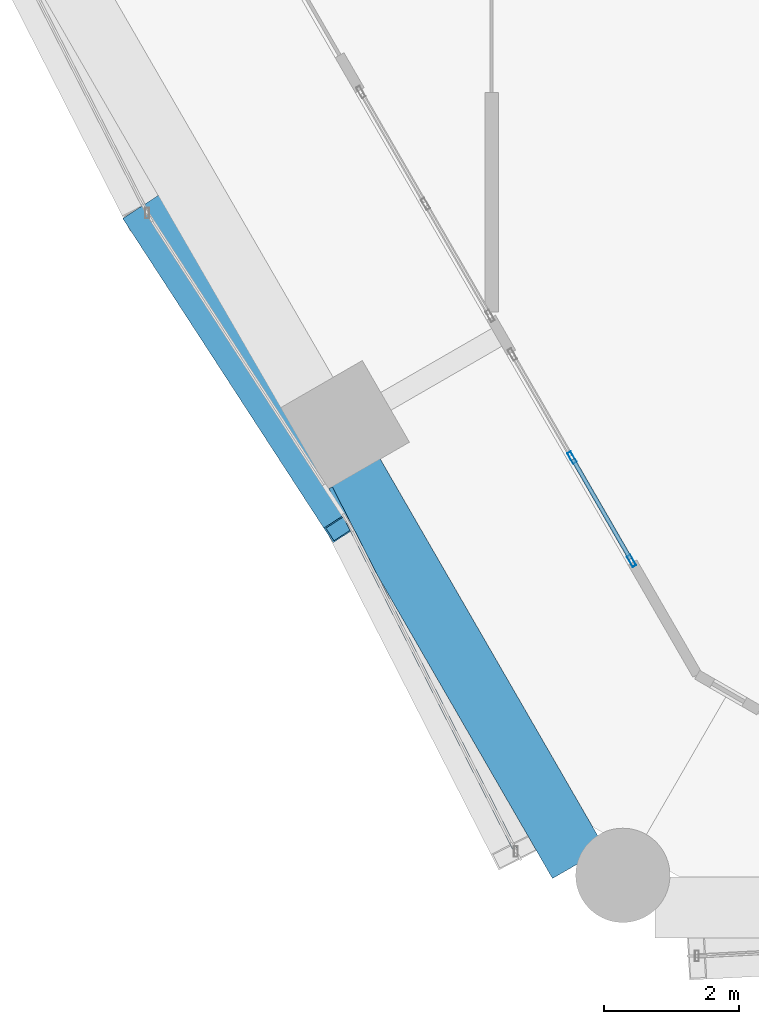
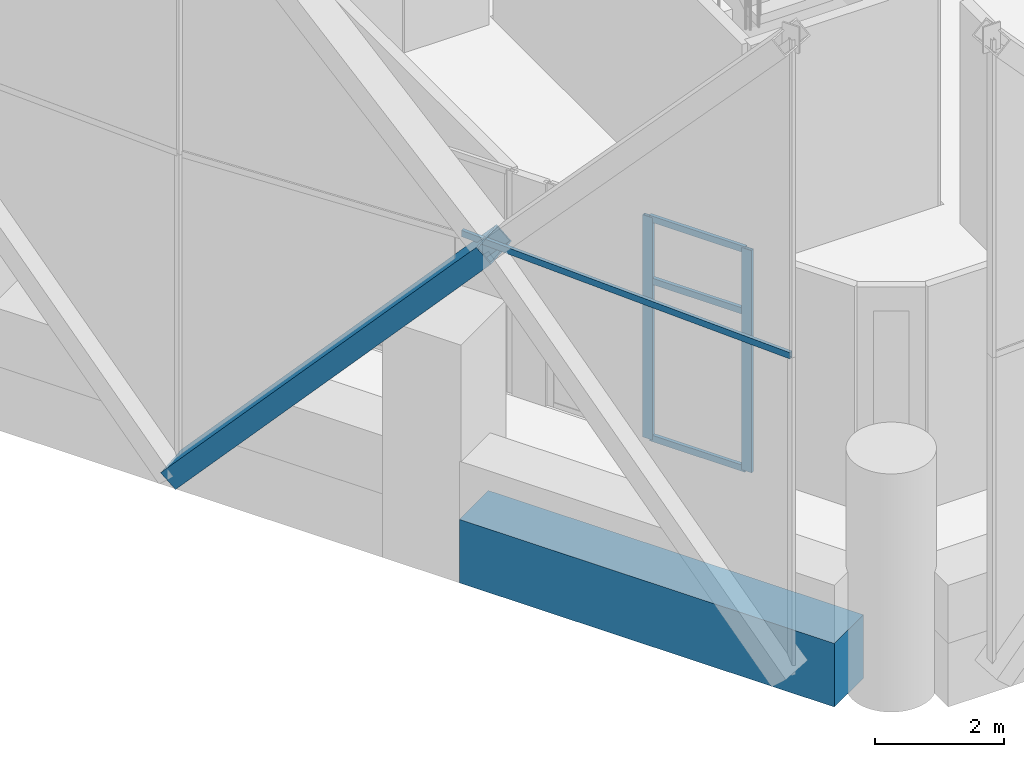
# One storey, part 4 of 46: 7 members, 1 beam, 2 elements without a shape of their own.
"""IFC4 building model written with IfcOpenShell, lengths in metres."""

from ifc_helpers import new_model, si_unit, direction, frame, origin, origin_2d, place, context, subcontext, project, spatial, rectangle, hollow_rectangle, extrude, material, material_profile, profile_set, type_object, element, aggregate, save


model = new_model("IFC4")

# Units and contexts
model_context = context("Model", 3, precision=1e-05, world=origin(), true_north=direction((0.0, 1.0)))
body_context = subcontext(model_context, "Body", "Model", "MODEL_VIEW")
ifc_project = project(units=[si_unit("LENGTHUNIT", "METRE"), si_unit("AREAUNIT", "SQUARE_METRE"), si_unit("VOLUMEUNIT", "CUBIC_METRE"), si_unit("PLANEANGLEUNIT", "RADIAN"), si_unit("MASSUNIT", "GRAM", prefix="KILO")], contexts=[model_context])

# Site, building, storey
site_placement = place(None, origin())
site = spatial("IfcSite", under=ifc_project, at=site_placement, CompositionType="ELEMENT")
building_placement = place(site_placement, origin())
building = spatial("IfcBuilding", under=site, at=building_placement, Name="Ostrander Bayou Hotel Tower", CompositionType="ELEMENT")
storey_placement = place(building_placement, frame((0.0, 0.0, 23.5)))
storey = spatial("IfcBuildingStorey", under=building, at=storey_placement, Name="L05", CompositionType="ELEMENT", Elevation=23.5)

# Curtain wall, member
ifc_material_1 = material(Name="Aluminium and clear glass", Category="aluminium")
curtain_wall_type_1 = type_object("IfcCurtainWallType", Name="CW-LAT lattice glazing", PredefinedType="NOTDEFINED", material=ifc_material_1)
curtain_wall_1_placement = place(storey_placement, origin())
curtain_wall_1 = element("IfcCurtainWall", 1, at=curtain_wall_1_placement, inside=storey, type_object=curtain_wall_type_1, Name="CW-LAT L05 SW 2", PredefinedType="NOTDEFINED")
ifc_material_2 = material(Name="Aluminium", Category="aluminium")
ifc_material_profile_1 = material_profile(ifc_material_2, hollow_rectangle(XDim=0.06005859375, YDim=0.1201171875, WallThickness=0.00390625, at=origin_2d()))
ifc_profile_set_1 = profile_set([ifc_material_profile_1], Name="Aluminium")
member_type_1 = type_object("IfcMemberType", Name="CW-LA transom 60 x 120 mm", PredefinedType="USERDEFINED", material=ifc_profile_set_1)
member_1_placement = place(storey_placement, frame((-13.637939453125, -20.5185546875, 5.39990234375), z_axis=(-0.45398127214, 0.891011225825, 0.0), x_axis=(-0.891011225825, -0.45398127214, 0.0)))
member_1 = element("IfcMember", 2, at=member_1_placement, type_object=member_type_1, Name="CW-LAT transom 10", ObjectType="TRANSOM", PredefinedType="USERDEFINED", context=body_context, shape_type="SweptSolid", body=[
    extrude(hollow_rectangle(XDim=0.06005859375, YDim=0.1201171875, WallThickness=0.00390625, at=origin_2d()), origin(), (0.0, 0.0, 1.0), 6.0634765625),
])
aggregate(curtain_wall_1, [member_1])

# Curtain wall, members
ifc_material_3 = material(Name="Aluminium and clear glass", Category="aluminium")
curtain_wall_type_2 = type_object("IfcCurtainWallType", Name="CW-SKY amenity glass wall", PredefinedType="NOTDEFINED", material=ifc_material_3)
curtain_wall_2_placement = place(storey_placement, origin())
curtain_wall_2 = element("IfcCurtainWall", 3, at=curtain_wall_2_placement, inside=storey, type_object=curtain_wall_type_2, Name="CW-SKY L05 SW 4", PredefinedType="NOTDEFINED")
ifc_material_4 = material(Name="Aluminium", Category="aluminium")
ifc_material_profile_2 = material_profile(ifc_material_4, hollow_rectangle(XDim=0.06005859375, YDim=0.179931640625, WallThickness=0.00390625, at=origin_2d()))
ifc_profile_set_2 = profile_set([ifc_material_profile_2], Name="Aluminium")
member_type_2 = type_object("IfcMemberType", Name="CW-SK mullion 60 x 180 mm", PredefinedType="MULLION", material=ifc_profile_set_2)
member_2_placement = place(storey_placement, frame((-12.806396484375, -14.66845703125, 0.0), z_axis=(0.0, 0.0, 1.0), x_axis=(0.866025997283, 0.499998972029, 0.0)))
member_2 = element("IfcMember", 4, at=member_2_placement, type_object=member_type_2, Name="CW-SKY mullion 2", PredefinedType="MULLION", context=body_context, shape_type="SweptSolid", body=[
    extrude(hollow_rectangle(XDim=0.06005859375, YDim=0.179931640625, WallThickness=0.00390625, at=origin_2d()), origin(), (0.0, 0.0, 1.0), 4.199951171875),
])
member_3_placement = place(storey_placement, frame((-11.92138671875, -16.201416015625, 0.0), z_axis=(0.0, 0.0, 1.0), x_axis=(0.866025997283, 0.499998972029, 0.0)))
member_3 = element("IfcMember", 5, at=member_3_placement, type_object=member_type_2, Name="CW-SKY mullion 3", PredefinedType="MULLION", context=body_context, shape_type="SweptSolid", body=[
    extrude(hollow_rectangle(XDim=0.06005859375, YDim=0.179931640625, WallThickness=0.00390625, at=origin_2d()), origin(), (0.0, 0.0, 1.0), 4.199951171875),
])
ifc_material_5 = material(Name="Aluminium", Category="aluminium")
ifc_material_profile_3 = material_profile(ifc_material_5, hollow_rectangle(XDim=0.06005859375, YDim=0.1201171875, WallThickness=0.00390625, at=origin_2d()))
ifc_profile_set_3 = profile_set([ifc_material_profile_3], Name="Aluminium")
member_type_3 = type_object("IfcMemberType", Name="CW-SK transom 60 x 120 mm", PredefinedType="USERDEFINED", material=ifc_profile_set_3)
member_4_placement = place(storey_placement, frame((-12.79150390625, -14.6943359375, 0.030029296875), z_axis=(0.499977863513, -0.866038183914, 0.0), x_axis=(0.866038183914, 0.499977863513, 0.0)))
member_4 = element("IfcMember", 6, at=member_4_placement, type_object=member_type_3, Name="CW-SKY transom 2.1", ObjectType="TRANSOM", PredefinedType="USERDEFINED", context=body_context, shape_type="SweptSolid", body=[
    extrude(hollow_rectangle(XDim=0.06005859375, YDim=0.1201171875, WallThickness=0.00390625, at=origin_2d()), origin(), (0.0, 0.0, 1.0), 1.7099609375),
])
member_5_placement = place(storey_placement, frame((-12.79150390625, -14.6943359375, 3.0), z_axis=(0.499977863513, -0.866038183914, 0.0), x_axis=(0.866038183914, 0.499977863513, 0.0)))
member_5 = element("IfcMember", 7, at=member_5_placement, type_object=member_type_3, Name="CW-SKY transom 2.2", ObjectType="TRANSOM", PredefinedType="USERDEFINED", context=body_context, shape_type="SweptSolid", body=[
    extrude(hollow_rectangle(XDim=0.06005859375, YDim=0.1201171875, WallThickness=0.00390625, at=origin_2d()), origin(), (0.0, 0.0, 1.0), 1.7099609375),
])
member_6_placement = place(storey_placement, frame((-12.79150390625, -14.6943359375, 4.169921875), z_axis=(0.499977863513, -0.866038183914, 0.0), x_axis=(0.866038183914, 0.499977863513, 0.0)))
member_6 = element("IfcMember", 8, at=member_6_placement, type_object=member_type_3, Name="CW-SKY transom 2.3", ObjectType="TRANSOM", PredefinedType="USERDEFINED", context=body_context, shape_type="SweptSolid", body=[
    extrude(hollow_rectangle(XDim=0.06005859375, YDim=0.1201171875, WallThickness=0.00390625, at=origin_2d()), origin(), (0.0, 0.0, 1.0), 1.7099609375),
])
aggregate(curtain_wall_2, [member_2, member_3, member_4, member_5, member_6])

# Member
ifc_material_6 = material(Name="Steel ASTM A572 Gr 50", Category="steel")
ifc_material_profile_4 = material_profile(ifc_material_6, hollow_rectangle(XDim=0.699951171875, YDim=0.35009765625, WallThickness=0.02490234375, at=origin_2d()))
ifc_profile_set_4 = profile_set([ifc_material_profile_4], Name="Steel ASTM A572 Gr 50")
member_type_4 = type_object("IfcMemberType", Name="LT1 lattice member box 700 x 350 x 25 mm", PredefinedType="BRACE", material=ifc_profile_set_4)
member_7_placement = place(storey_placement, frame((-16.126953125, -15.63330078125, 5.39990234375), z_axis=(-0.367415336606, 0.5657511335, -0.738194842416), x_axis=(-0.838662270052, -0.544651812438, 0.0)))
element("IfcMember", 9, at=member_7_placement, inside=storey, type_object=member_type_4, Name="LT1 L05 SW 5", PredefinedType="BRACE", context=body_context, shape_type="SweptSolid", body=[
    extrude(hollow_rectangle(XDim=0.699951171875, YDim=0.35009765625, WallThickness=0.02490234375, at=origin_2d()), origin(), (0.0, 0.0, 1.0), 8.1279296875),
])

# Beam
ifc_material_7 = material(Name="Concrete f'c 70 MPa", Category="concrete")
ifc_material_profile_5 = material_profile(ifc_material_7, rectangle(XDim=0.89990234375, YDim=1.199951171875, at=origin_2d()))
ifc_profile_set_5 = profile_set([ifc_material_profile_5], Name="Concrete f'c 70 MPa")
beam_type = type_object("IfcBeamType", Name="SP1 spandrel beam 900 x 1200 mm f'c 70 MPa", PredefinedType="SPANDREL", material=ifc_profile_set_5)
beam_placement = place(storey_placement, frame((-16.056884765625, -14.888671875, -0.60009765625), z_axis=(0.500005133765, -0.866022439784, 0.0), x_axis=(0.866022439784, 0.500005133765, 0.0)))
element("IfcBeam", 10, at=beam_placement, inside=storey, type_object=beam_type, Name="SP1 L05 SW-3", PredefinedType="SPANDREL", context=body_context, shape_type="SweptSolid", body=[
    extrude(rectangle(XDim=0.89990234375, YDim=1.199951171875, at=origin_2d()), origin(), (0.0, 0.0, 1.0), 6.70361328125),
])

save(model, "model.ifc")
